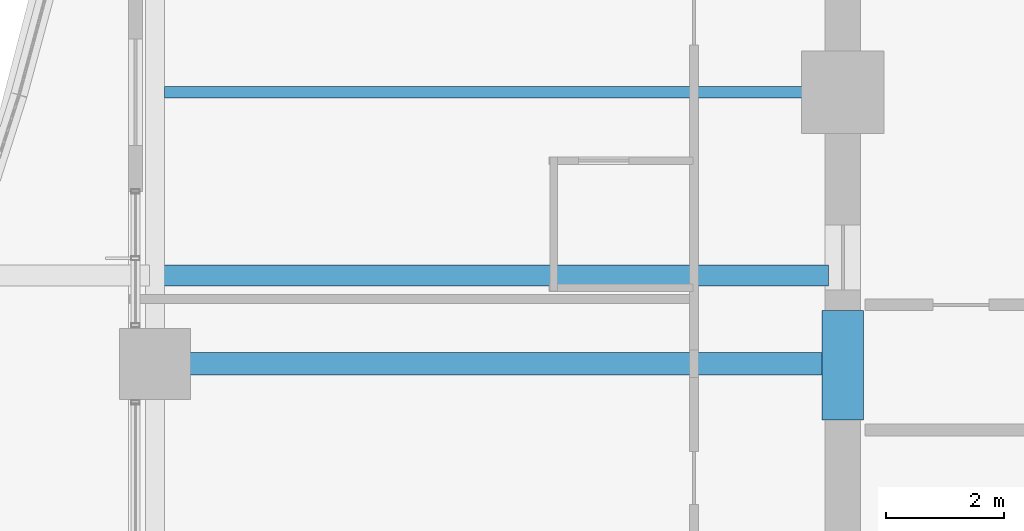
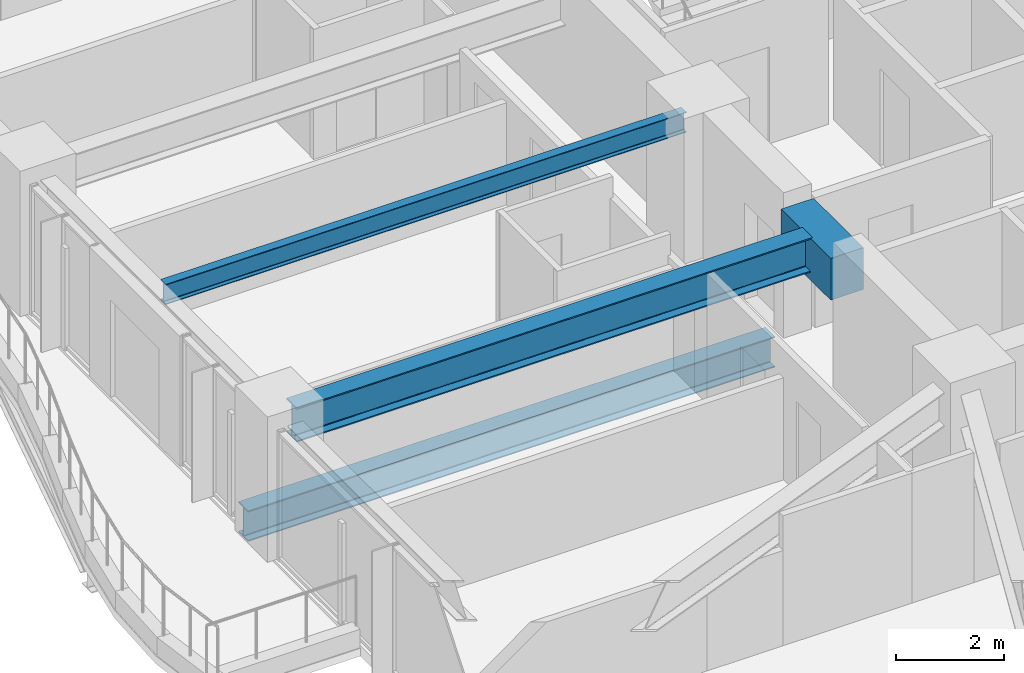
# One storey, part 8 of 38: 4 beams.
"""IFC4 building model written with IfcOpenShell, lengths in metres."""

from ifc_helpers import new_model, si_unit, direction, frame, origin, origin_2d, place, context, subcontext, project, spatial, rectangle, i_section, extrude, material, material_profile, profile_set, type_object, element, save


model = new_model("IFC4")

# Units and contexts
model_context = context("Model", 3, precision=1e-05, world=origin(), true_north=direction((0.0, 1.0)))
body_context = subcontext(model_context, "Body", "Model", "MODEL_VIEW")
ifc_project = project(units=[si_unit("LENGTHUNIT", "METRE"), si_unit("AREAUNIT", "SQUARE_METRE"), si_unit("VOLUMEUNIT", "CUBIC_METRE"), si_unit("PLANEANGLEUNIT", "RADIAN"), si_unit("MASSUNIT", "GRAM", prefix="KILO")], contexts=[model_context])

# Site, building, storey
site_placement = place(None, origin())
site = spatial("IfcSite", under=ifc_project, at=site_placement, CompositionType="ELEMENT")
building_placement = place(site_placement, origin())
building = spatial("IfcBuilding", under=site, at=building_placement, Name="Kolvaren Belvedere", CompositionType="ELEMENT")
storey_placement = place(building_placement, frame((0.0, 0.0, 60.10009765625)))
storey = spatial("IfcBuildingStorey", under=building, at=storey_placement, Name="L17", CompositionType="ELEMENT", Elevation=60.10009765625)

# Beams
ifc_material_1 = material(Name="Structural steel ASTM A992 Grade 50", Category="steel")
ifc_material_profile_1 = material_profile(ifc_material_1, i_section(OverallWidth=0.35498046875, OverallDepth=0.696044921875, WebThickness=0.015380859375, FlangeThickness=0.02490234375, FilletRadius=0.02197265625, at=origin_2d()), Name="W27X146")
ifc_profile_set_1 = profile_set([ifc_material_profile_1], Name="Structural steel ASTM A992 Grade 50")
beam_type_1 = type_object("IfcBeamType", Name="BM-GIRD-W27X146", PredefinedType="BEAM", material=ifc_profile_set_1)
beam_1_placement = place(storey_placement, frame((-10.139892578125, -3.10009765625, -0.588134765625), z_axis=(-1.0, 0.0, 0.0), x_axis=(0.0, -1.0, 0.0)))
element("IfcBeam", 1, at=beam_1_placement, inside=storey, type_object=beam_type_1, Name="L17 Balcony Interior Back-Span Girder BAL-W-1", PredefinedType="BEAM", context=body_context, shape_type="SweptSolid", body=[
    extrude(i_section(OverallWidth=0.35498046875, OverallDepth=0.696044921875, WebThickness=0.015380859375, FlangeThickness=0.02490234375, FilletRadius=0.02197265625, at=origin_2d()), origin(), (0.0, 0.0, 1.0), 11.315185546875),
])
ifc_material_2 = material(Name="Structural steel ASTM A992 Grade 50", Category="steel")
ifc_material_profile_2 = material_profile(ifc_material_2, i_section(OverallWidth=0.381103515625, OverallDepth=0.77294921875, WebThickness=0.0166015625, FlangeThickness=0.027099609375, FilletRadius=0.02392578125, at=origin_2d()), Name="W30X173")
ifc_profile_set_2 = profile_set([ifc_material_profile_2], Name="Structural steel ASTM A992 Grade 50")
beam_type_2 = type_object("IfcBeamType", Name="BM-GIRD-W30X173", PredefinedType="BEAM", material=ifc_profile_set_2)
beam_2_placement = place(storey_placement, frame((-10.199951171875, -4.60009765625, 2.5634765625), z_axis=(-1.0, 0.0, 0.0), x_axis=(0.0, -1.0, 0.0)))
element("IfcBeam", 2, at=beam_2_placement, inside=storey, type_object=beam_type_2, Name="L17 West Radial Girder M", PredefinedType="BEAM", context=body_context, shape_type="SweptSolid", body=[
    extrude(i_section(OverallWidth=0.381103515625, OverallDepth=0.77294921875, WebThickness=0.0166015625, FlangeThickness=0.027099609375, FilletRadius=0.02392578125, at=origin_2d()), origin(), (0.0, 0.0, 1.0), 11.080078125),
])
ifc_material_3 = material(Name="Structural steel ASTM A992 Grade 50", Category="steel")
ifc_material_profile_3 = material_profile(ifc_material_3, i_section(OverallWidth=0.19091796875, OverallDepth=0.4599609375, WebThickness=0.010009765625, FlangeThickness=0.01611328125, FilletRadius=0.014892578125, at=origin_2d()), Name="W18X55")
ifc_profile_set_3 = profile_set([ifc_material_profile_3], Name="Structural steel ASTM A992 Grade 50")
beam_type_3 = type_object("IfcBeamType", Name="BM-JOIST-W18X55", PredefinedType="BEAM", material=ifc_profile_set_3)
beam_3_placement = place(storey_placement, frame((-10.199951171875, 0.0, 2.719970703125), z_axis=(-1.0, 0.0, 0.0), x_axis=(0.0, -1.0, 0.0)))
element("IfcBeam", 3, at=beam_3_placement, inside=storey, type_object=beam_type_3, Name="L17 West Centre Floor Beam", PredefinedType="BEAM", context=body_context, shape_type="SweptSolid", body=[
    extrude(i_section(OverallWidth=0.19091796875, OverallDepth=0.4599609375, WebThickness=0.010009765625, FlangeThickness=0.01611328125, FilletRadius=0.014892578125, at=origin_2d()), origin(), (0.0, 0.0, 1.0), 11.1875),
])
ifc_material_4 = material(Name="Concrete C60/75", Category="concrete")
ifc_material_profile_4 = material_profile(ifc_material_4, rectangle(XDim=0.699951171875, YDim=0.949951171875, at=origin_2d()), Name="RC 700X950")
ifc_profile_set_4 = profile_set([ifc_material_profile_4], Name="Concrete C60/75")
beam_type_4 = type_object("IfcBeamType", Name="BM-LINT-950", PredefinedType="LINTEL", material=ifc_profile_set_4)
beam_4_placement = place(storey_placement, frame((-9.89990234375, -5.550048828125, 2.474853515625), z_axis=(0.0, 1.0, 0.0), x_axis=(-1.0, 0.0, 0.0)))
element("IfcBeam", 4, at=beam_4_placement, inside=storey, type_object=beam_type_4, Name="L17 West Core Coupling Lintel", PredefinedType="LINTEL", context=body_context, shape_type="SweptSolid", body=[
    extrude(rectangle(XDim=0.699951171875, YDim=0.949951171875, at=origin_2d()), origin(), (0.0, 0.0, 1.0), 1.85009765625),
])

save(model, "model.ifc")
